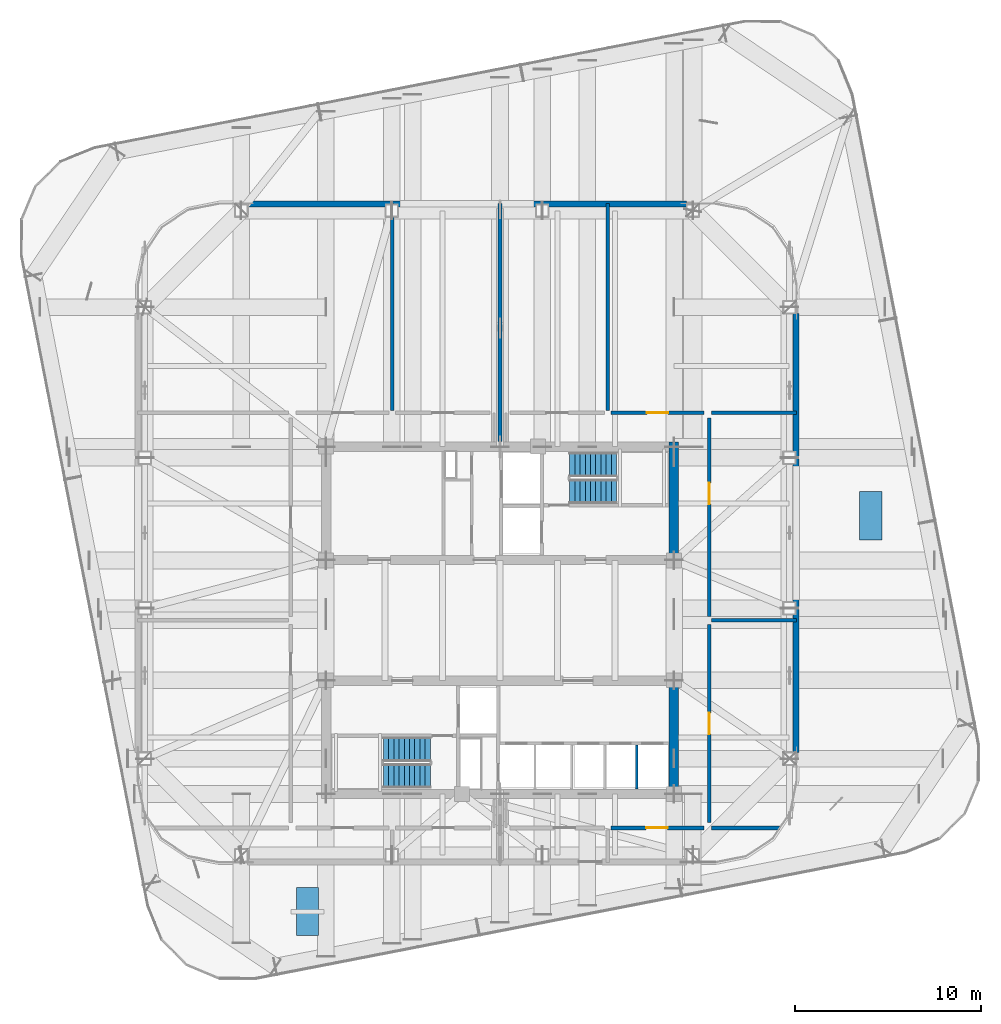
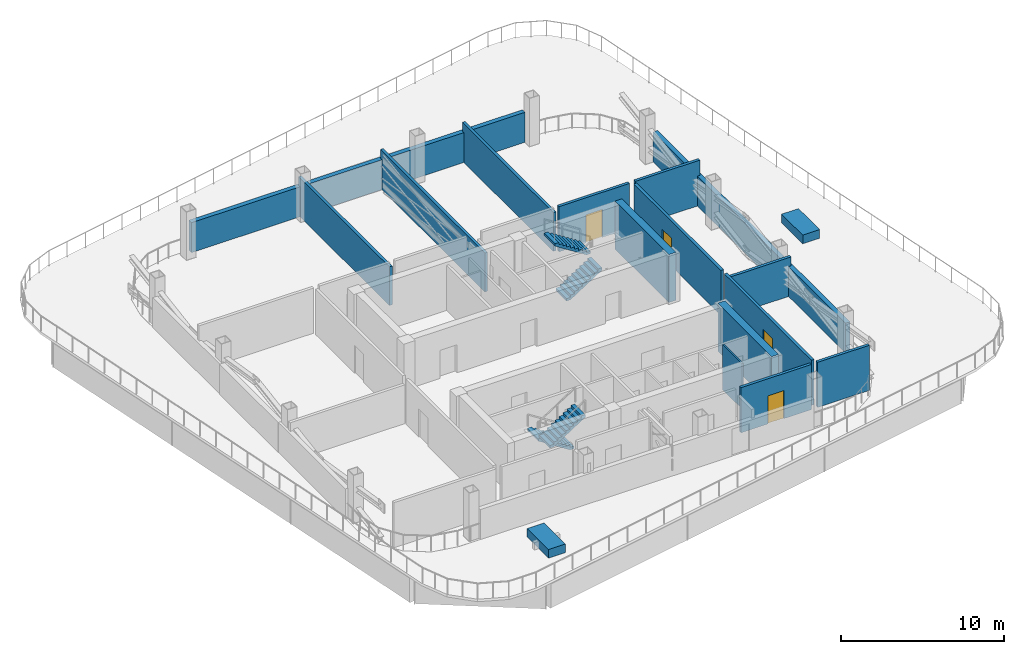
# One storey, part 9 of 14: 15 walls, 4 doors, 4 stair flights, 2 discrete accessories, 4 openings, 2 elements without a shape of their own.
"""IFC4 building model written with IfcOpenShell, lengths in metres."""

from ifc_helpers import new_model, si_unit, direction, frame, frame_2d, origin, origin_2d, place, context, subcontext, project, spatial, polyline, rectangle, outline, extrude, material, layer, layer_set, type_object, element, fill, aggregate, save


model = new_model("IFC4")

# Units and contexts
model_context = context("Model", 3, precision=1e-05, world=origin(), true_north=direction((0.0, 1.0)))
body_context = subcontext(model_context, "Body", "Model", "MODEL_VIEW")
ifc_project = project(units=[si_unit("LENGTHUNIT", "METRE"), si_unit("AREAUNIT", "SQUARE_METRE"), si_unit("VOLUMEUNIT", "CUBIC_METRE"), si_unit("PLANEANGLEUNIT", "RADIAN"), si_unit("MASSUNIT", "GRAM", prefix="KILO")], contexts=[model_context])

# Site, building, storey
site_placement = place(None, origin())
site = spatial("IfcSite", under=ifc_project, at=site_placement, CompositionType="ELEMENT")
building_placement = place(site_placement, origin())
building = spatial("IfcBuilding", under=site, at=building_placement, Name="Qhalaya Broadcast Tower", CompositionType="ELEMENT")
storey_placement = place(building_placement, frame((0.0, 0.0, 144.60009765625)))
storey = spatial("IfcBuildingStorey", under=building, at=storey_placement, Name="L42", CompositionType="ELEMENT", Elevation=144.60009765625)

# Walls
ifc_material_1 = material(Name="Gypsum Acoustic Partition")
ifc_layer_1 = layer(ifc_material_1, 0.199951171875, Name="Gypsum Acoustic Partition")
ifc_layer_set_1 = layer_set([ifc_layer_1], Name="Gypsum Acoustic Partition")
wall_type_1 = type_object("IfcWallType", Name="Firefighting Lobby & Stair Enclosure Wall 200", PredefinedType="PARTITIONING", material=ifc_layer_set_1)
wall_1_placement = place(storey_placement, frame((0.0, 10.239990234375, 0.0), z_axis=(0.0, 0.0, 1.0), x_axis=(0.0, 1.0, 0.0)))
element("IfcWall", 1, at=wall_1_placement, inside=storey, type_object=wall_type_1, Name="L42 Partition Wall W-OBN", PredefinedType="PARTITIONING", context=body_context, shape_type="SweptSolid", body=[
    extrude(rectangle(XDim=12.800048828125, YDim=0.199951171875, at=frame_2d((6.39990234375, 0.0))), origin(), (0.0, 0.0, 1.0), 2.90087890625),
])
for number, where, z_axis, x_axis, name in (
    (2, (-5.800048828125, 11.889892578125, 0.0), (0.0, 0.0, 1.0), (0.0, 1.0, 0.0), "L42 Partition Wall W-PDN1"),
    (3, (5.800048828125, 11.889892578125, 0.0), (0.0, 0.0, 1.0), (0.0, 1.0, 0.0), "L42 Partition Wall W-PDN3"),
):
    element("IfcWall", number, at=place(storey_placement, frame(where, z_axis=z_axis, x_axis=x_axis)), inside=storey, type_object=wall_type_1, Name=name, PredefinedType="PARTITIONING", context=body_context, shape_type="SweptSolid", body=[
        extrude(rectangle(XDim=11.150146484375, YDim=0.199951171875, at=frame_2d((5.5751953125, 0.0))), origin(), (0.0, 0.0, 1.0), 2.90087890625),
    ])

# Wall, opening, door
wall_2_placement = place(storey_placement, frame((10.969970703125, 11.77001953125, 0.0), z_axis=(0.0, 0.0, 1.0), x_axis=(-1.0, 0.0, 0.0)))
wall_2 = element("IfcWall", 4, at=wall_2_placement, inside=storey, type_object=wall_type_1, Name="L42 Partition Wall W-PCN3", PredefinedType="PARTITIONING", context=body_context, shape_type="SweptSolid", body=[
    extrude(rectangle(XDim=4.989990234375, YDim=0.199951171875, at=frame_2d((2.4951171875, 0.0))), origin(), (0.0, 0.0, 1.0), 3.3798828125),
])
opening_1_placement = place(wall_2_placement, frame((1.919921875, 0.0, 0.0)))
opening_1 = element("IfcOpeningElement", 5, at=opening_1_placement, cuts=wall_2, Name="Opening D05", PredefinedType="OPENING", context=body_context, shape_type="SweptSolid", body=[
    extrude(rectangle(XDim=1.14990234375, YDim=2.10009765625, at=frame_2d((0.574951171875, 1.050048828125))), frame((0.0, 0.112060546875, 0.0), z_axis=(0.0, -1.0, 0.0), x_axis=(1.0, 0.0, 0.0)), (0.0, 0.0, 1.0), 0.223876953125),
])
ifc_material_2 = material(Name="Fire-Rated Steel Door", Category="steel")
door_type = type_object("IfcDoorType", Name="Refuge & Plant Room Fire Door D05", OperationType="NOTDEFINED", PredefinedType="DOOR", material=ifc_material_2)
door_1_placement = place(opening_1_placement, origin())
door_1 = element("IfcDoor", 6, at=door_1_placement, inside=storey, type_object=door_type, Name="L42 Door D-PCN3", OperationType="SINGLE_SWING_LEFT", OverallHeight=2.10009765625, OverallWidth=1.14990234375, PredefinedType="DOOR", context=body_context, shape_type="SweptSolid", body=[
    extrude(rectangle(XDim=1.14990234375, YDim=2.10009765625, at=frame_2d((0.574951171875, 1.050048828125))), frame((0.0, 0.02490234375, 0.0), z_axis=(0.0, -1.0, 0.0), x_axis=(1.0, 0.0, 0.0)), (0.0, 0.0, 1.0), 0.050048828125),
])
fill(opening_1, door_1)

wall_3_placement = place(storey_placement, frame((5.97998046875, -10.570068359375, 0.0), z_axis=(0.0, 0.0, 1.0), x_axis=(1.0, 0.0, 0.0)))
wall_3 = element("IfcWall", 7, at=wall_3_placement, inside=storey, type_object=wall_type_1, Name="L42 Partition Wall W-PCS3", PredefinedType="PARTITIONING", context=body_context, shape_type="SweptSolid", body=[
    extrude(rectangle(XDim=4.989990234375, YDim=0.199951171875, at=frame_2d((2.4951171875, 0.0))), origin(), (0.0, 0.0, 1.0), 3.3798828125),
])
opening_2_placement = place(wall_3_placement, frame((1.889892578125, 0.0, 0.0)))
opening_2 = element("IfcOpeningElement", 8, at=opening_2_placement, cuts=wall_3, Name="Opening D05", PredefinedType="OPENING", context=body_context, shape_type="SweptSolid", body=[
    extrude(rectangle(XDim=1.14990234375, YDim=2.10009765625, at=frame_2d((0.574951171875, 1.050048828125))), frame((0.0, 0.112060546875, 0.0), z_axis=(0.0, -1.0, 0.0), x_axis=(1.0, 0.0, 0.0)), (0.0, 0.0, 1.0), 0.223876953125),
])
door_2_placement = place(opening_2_placement, origin())
door_2 = element("IfcDoor", 9, at=door_2_placement, inside=storey, type_object=door_type, Name="L42 Door D-PCS3", OperationType="SINGLE_SWING_RIGHT", OverallHeight=2.10009765625, OverallWidth=1.14990234375, PredefinedType="DOOR", context=body_context, shape_type="SweptSolid", body=[
    extrude(rectangle(XDim=1.14990234375, YDim=2.10009765625, at=frame_2d((0.574951171875, 1.050048828125))), frame((0.0, 0.02490234375, 0.0), z_axis=(0.0, -1.0, 0.0), x_axis=(1.0, 0.0, 0.0)), (0.0, 0.0, 1.0), 0.050048828125),
])
fill(opening_2, door_2)

# Walls
wall_4_placement = place(storey_placement, frame((11.389892578125, 11.77001953125, 0.0), z_axis=(0.0, 0.0, 1.0), x_axis=(1.0, 0.0, 0.0)))
element("IfcWall", 10, at=wall_4_placement, inside=storey, type_object=wall_type_1, Name="L42 Partition Wall W-PBNE", PredefinedType="PARTITIONING", context=body_context, shape_type="SweptSolid", body=[
    extrude(rectangle(XDim=4.570068359375, YDim=0.199951171875, at=frame_2d((2.28515625, 0.0))), origin(), (0.0, 0.0, 1.0), 3.3798828125),
])
wall_5_placement = place(storey_placement, frame((11.389892578125, -10.570068359375, 0.0), z_axis=(0.0, 0.0, 1.0), x_axis=(1.0, 0.0, 0.0)))
element("IfcWall", 11, at=wall_5_placement, inside=storey, type_object=wall_type_1, Name="L42 Partition Wall W-PBSE", PredefinedType="PARTITIONING", context=body_context, shape_type="SweptSolid", body=[
    extrude(rectangle(XDim=3.663330078125, YDim=0.199951171875, at=frame_2d((1.83154296875, 0.0))), origin(), (0.0, 0.0, 1.0), 3.3798828125),
])
wall_6_placement = place(storey_placement, frame((11.389892578125, 0.60009765625, 0.0), z_axis=(0.0, 0.0, 1.0), x_axis=(1.0, 0.0, 0.0)))
element("IfcWall", 12, at=wall_6_placement, inside=storey, type_object=wall_type_1, Name="L42 Partition Wall W-PDE1", PredefinedType="PARTITIONING", context=body_context, shape_type="SweptSolid", body=[
    extrude(rectangle(XDim=4.570068359375, YDim=0.199951171875, at=frame_2d((2.28515625, 0.0))), origin(), (0.0, 0.0, 1.0), 2.90087890625),
])

# Wall, opening, door
wall_7_placement = place(storey_placement, frame((11.27001953125, -10.2900390625, 0.0), z_axis=(0.0, 0.0, 1.0), x_axis=(0.0, 1.0, 0.0)))
wall_7 = element("IfcWall", 13, at=wall_7_placement, inside=storey, type_object=wall_type_1, Name="L42 Partition Wall W-PCE1", PredefinedType="PARTITIONING", context=body_context, shape_type="SweptSolid", body=[
    extrude(rectangle(XDim=10.679931640625, YDim=0.199951171875, at=frame_2d((5.33984375, 0.0))), origin(), (0.0, 0.0, 1.0), 3.3798828125),
])
opening_3_placement = place(wall_7_placement, frame((4.764892578125, 0.0, 0.0)))
opening_3 = element("IfcOpeningElement", 14, at=opening_3_placement, cuts=wall_7, Name="Opening D05", PredefinedType="OPENING", context=body_context, shape_type="SweptSolid", body=[
    extrude(rectangle(XDim=1.14990234375, YDim=2.10009765625, at=frame_2d((0.574951171875, 1.050048828125))), frame((0.0, 0.112060546875, 0.0), z_axis=(0.0, -1.0, 0.0), x_axis=(1.0, 0.0, 0.0)), (0.0, 0.0, 1.0), 0.223876953125),
])
door_3_placement = place(opening_3_placement, origin())
door_3 = element("IfcDoor", 15, at=door_3_placement, inside=storey, type_object=door_type, Name="L42 Door D-PCE1", OperationType="SINGLE_SWING_RIGHT", OverallHeight=2.10009765625, OverallWidth=1.14990234375, PredefinedType="DOOR", context=body_context, shape_type="SweptSolid", body=[
    extrude(rectangle(XDim=1.14990234375, YDim=2.10009765625, at=frame_2d((0.574951171875, 1.050048828125))), frame((0.0, 0.02490234375, 0.0), z_axis=(0.0, -1.0, 0.0), x_axis=(1.0, 0.0, 0.0)), (0.0, 0.0, 1.0), 0.050048828125),
])
fill(opening_3, door_3)

wall_8_placement = place(storey_placement, frame((11.27001953125, 0.81005859375, 0.0), z_axis=(0.0, 0.0, 1.0), x_axis=(0.0, 1.0, 0.0)))
wall_8 = element("IfcWall", 16, at=wall_8_placement, inside=storey, type_object=wall_type_1, Name="L42 Partition Wall W-PCE2", PredefinedType="PARTITIONING", context=body_context, shape_type="SweptSolid", body=[
    extrude(rectangle(XDim=10.679931640625, YDim=0.199951171875, at=frame_2d((5.33984375, 0.0))), origin(), (0.0, 0.0, 1.0), 3.3798828125),
])
opening_4_placement = place(wall_8_placement, frame((6.047119140625, 0.0, 0.0)))
opening_4 = element("IfcOpeningElement", 17, at=opening_4_placement, cuts=wall_8, Name="Opening D05", PredefinedType="OPENING", context=body_context, shape_type="SweptSolid", body=[
    extrude(rectangle(XDim=1.14990234375, YDim=2.10009765625, at=frame_2d((0.574951171875, 1.050048828125))), frame((0.0, 0.112060546875, 0.0), z_axis=(0.0, -1.0, 0.0), x_axis=(1.0, 0.0, 0.0)), (0.0, 0.0, 1.0), 0.223876953125),
])
door_4_placement = place(opening_4_placement, origin())
door_4 = element("IfcDoor", 18, at=door_4_placement, inside=storey, type_object=door_type, Name="L42 Door D-PCE2", OperationType="SINGLE_SWING_LEFT", OverallHeight=2.10009765625, OverallWidth=1.14990234375, PredefinedType="DOOR", context=body_context, shape_type="SweptSolid", body=[
    extrude(rectangle(XDim=1.14990234375, YDim=2.10009765625, at=frame_2d((0.574951171875, 1.050048828125))), frame((0.0, 0.02490234375, 0.0), z_axis=(0.0, -1.0, 0.0), x_axis=(1.0, 0.0, 0.0)), (0.0, 0.0, 1.0), 0.050048828125),
])
fill(opening_4, door_4)

# Walls
ifc_material_3 = material(Name="Concrete C50/60", Category="concrete")
ifc_layer_2 = layer(ifc_material_3, 0.5, Name="Concrete C50/60")
ifc_layer_set_2 = layer_set([ifc_layer_2], Name="Concrete C50/60")
wall_type_2 = type_object("IfcWallType", Name="Mid Split-Core Shear Wall 500", PredefinedType="SHEAR", material=ifc_layer_set_2)
wall_9_placement = place(storey_placement, frame((9.35009765625, 3.60009765625, 0.0), z_axis=(0.0, 0.0, 1.0), x_axis=(0.0, 1.0, 0.0)))
element("IfcWall", 19, at=wall_9_placement, inside=storey, type_object=wall_type_2, Name="L42 Split-Core Shear Wall CW-NE", PredefinedType="SHEAR", context=body_context, shape_type="SweptSolid", body=[
    extrude(rectangle(XDim=6.599853515625, YDim=0.5, at=frame_2d((3.2998046875, 0.0))), origin(), (0.0, 0.0, 1.0), 3.599853515625),
])
wall_10_placement = place(storey_placement, frame((9.35009765625, -9.0, 0.0), z_axis=(0.0, 0.0, 1.0), x_axis=(0.0, 1.0, 0.0)))
element("IfcWall", 20, at=wall_10_placement, inside=storey, type_object=wall_type_2, Name="L42 Split-Core Shear Wall CW-SE", PredefinedType="SHEAR", context=body_context, shape_type="SweptSolid", body=[
    extrude(rectangle(XDim=6.60009765625, YDim=0.5, at=frame_2d((3.300048828125, 0.0))), origin(), (0.0, 0.0, 1.0), 3.599853515625),
])
ifc_layer_3 = layer(ifc_material_1, 0.1201171875, Name="Gypsum Acoustic Partition")
ifc_layer_set_3 = layer_set([ifc_layer_3], Name="Gypsum Acoustic Partition")
wall_type_3 = type_object("IfcWallType", Name="Office, Booth & Sanitary Partition 120", PredefinedType="PARTITIONING", material=ifc_layer_set_3)
wall_11_placement = place(storey_placement, frame((7.360107421875, -8.47998046875, 0.0), z_axis=(0.0, 0.0, 1.0), x_axis=(0.0, 1.0, 0.0)))
element("IfcWall", 21, at=wall_11_placement, inside=storey, type_object=wall_type_3, Name="L42 Partition Wall SCW-HD7", PredefinedType="PARTITIONING", context=body_context, shape_type="SweptSolid", body=[
    extrude(rectangle(XDim=2.3798828125, YDim=0.1201171875, at=frame_2d((1.18994140625, 0.0))), origin(), (0.0, 0.0, 1.0), 3.3798828125),
])
ifc_material_4 = material(Name="Precast Concrete C40/50", Category="concrete")
ifc_layer_4 = layer(ifc_material_4, 0.320068359375, Name="Precast Concrete C40/50")
ifc_layer_set_4 = layer_set([ifc_layer_4], Name="Precast Concrete C40/50")
wall_type_4 = type_object("IfcWallType", Name="Recessed Neck Insulated Exterior Wall 320", PredefinedType="SOLIDWALL", material=ifc_layer_set_4)
for number, where, z_axis, x_axis, name in (
    (22, (15.93994140625, 17.1220703125, 0.0), (0.0, 0.0, 1.0), (0.0, -1.0, 0.0), "L42 Exterior Facade Wall E"),
    (23, (-13.58203125, 23.02001953125, 0.0), (0.0, 0.0, 1.0), (1.0, 0.0, 0.0), "L42 Exterior Facade Wall N"),
):
    element("IfcWall", number, at=place(storey_placement, frame(where, z_axis=z_axis, x_axis=x_axis)), inside=storey, type_object=wall_type_4, Name=name, PredefinedType="SOLIDWALL", context=body_context, shape_type="SweptSolid", body=[
        extrude(rectangle(XDim=23.6240234375, YDim=0.320068359375, at=frame_2d((11.81201171875, 0.0))), origin(), (0.0, 0.0, 1.0), 2.241943359375),
    ])

# Stair, stair flights
ifc_material_5 = material(Name="Concrete C40/50", Category="concrete")
stair_type = type_object("IfcStairType", Name="Protected Dogleg Core Stair 3600", PredefinedType="TWO_STRAIGHT_RUN_STAIR", material=ifc_material_5)
stair_1_placement = place(storey_placement, origin())
stair_1 = element("IfcStair", 24, at=stair_1_placement, inside=storey, type_object=stair_type, Name="L42 North Core Exit Stair ST-1", PredefinedType="TWO_STRAIGHT_RUN_STAIR")
stair_flight_type = type_object("IfcStairFlightType", Name="Precast Concrete Stair Flight 3600", PredefinedType="STRAIGHT", material=ifc_material_4)
stair_flight_1_placement = place(storey_placement, frame((3.75, 7.5400390625, 0.0), z_axis=(0.0, 0.0, 1.0), x_axis=(1.0, 0.0, 0.0)))
stair_flight_1 = element("IfcStairFlight", 25, at=stair_flight_1_placement, type_object=stair_flight_type, Name="ST-1 flight 1", NumberOfRisers=10, NumberOfTreads=9, PredefinedType="STRAIGHT", RiserHeight=0.18, TreadLength=0.28, context=body_context, shape_type="SweptSolid", body=[
    extrude(outline(polyline([(0.0, 0.0), (0.0, 0.179931640625), (0.280029296875, 0.179931640625), (0.280029296875, 0.360107421875), (0.56005859375, 0.360107421875), (0.56005859375, 0.5400390625), (0.840087890625, 0.5400390625), (0.840087890625, 0.719970703125), (1.1201171875, 0.719970703125), (1.1201171875, 0.89990234375), (1.39990234375, 0.89990234375), (1.39990234375, 1.080078125), (1.679931640625, 1.080078125), (1.679931640625, 1.260009765625), (1.9599609375, 1.260009765625), (1.9599609375, 1.43994140625), (2.239990234375, 1.43994140625), (2.239990234375, 1.6201171875), (2.52001953125, 1.6201171875), (2.52001953125, 1.800048828125), (2.52001953125, 1.44189453125), (0.277099609375, 0.0), (0.0, 0.0)])), frame((0.0, 0.66015625, 0.0), z_axis=(0.0, -1.0, 0.0), x_axis=(1.0, 0.0, 0.0)), (0.0, 0.0, 1.0), 1.320068359375),
])
stair_flight_2_placement = place(storey_placement, frame((6.27001953125, 8.97998046875, 1.7998046875), z_axis=(0.0, 0.0, 1.0), x_axis=(-1.0, 0.0, 0.0)))
stair_flight_2 = element("IfcStairFlight", 26, at=stair_flight_2_placement, type_object=stair_flight_type, Name="ST-1 flight 2", NumberOfRisers=10, NumberOfTreads=9, PredefinedType="STRAIGHT", RiserHeight=0.18, TreadLength=0.28, context=body_context, shape_type="SweptSolid", body=[
    extrude(outline(polyline([(0.0, 0.0), (0.0, 0.179931640625), (0.280029296875, 0.179931640625), (0.280029296875, 0.360107421875), (0.56005859375, 0.360107421875), (0.56005859375, 0.5400390625), (0.840087890625, 0.5400390625), (0.840087890625, 0.719970703125), (1.1201171875, 0.719970703125), (1.1201171875, 0.89990234375), (1.39990234375, 0.89990234375), (1.39990234375, 1.080078125), (1.679931640625, 1.080078125), (1.679931640625, 1.260009765625), (1.9599609375, 1.260009765625), (1.9599609375, 1.43994140625), (2.239990234375, 1.43994140625), (2.239990234375, 1.6201171875), (2.52001953125, 1.6201171875), (2.52001953125, 1.800048828125), (2.52001953125, 1.44189453125), (0.277099609375, 0.0), (0.0, 0.0)])), frame((0.0, 0.66015625, 0.0), z_axis=(0.0, -1.0, 0.0), x_axis=(1.0, 0.0, 0.0)), (0.0, 0.0, 1.0), 1.320068359375),
])
aggregate(stair_1, [stair_flight_1, stair_flight_2])

stair_2_placement = place(storey_placement, origin())
stair_2 = element("IfcStair", 27, at=stair_2_placement, inside=storey, type_object=stair_type, Name="L42 South Core Exit Stair ST-2", PredefinedType="TWO_STRAIGHT_RUN_STAIR")
stair_flight_3_placement = place(storey_placement, frame((-3.75, -6.340087890625, 0.0), z_axis=(0.0, 0.0, 1.0), x_axis=(-1.0, 0.0, 0.0)))
stair_flight_3 = element("IfcStairFlight", 28, at=stair_flight_3_placement, type_object=stair_flight_type, Name="ST-2 flight 1", NumberOfRisers=10, NumberOfTreads=9, PredefinedType="STRAIGHT", RiserHeight=0.18, TreadLength=0.28, context=body_context, shape_type="SweptSolid", body=[
    extrude(outline(polyline([(0.0, 0.0), (0.0, 0.179931640625), (0.280029296875, 0.179931640625), (0.280029296875, 0.360107421875), (0.56005859375, 0.360107421875), (0.56005859375, 0.5400390625), (0.840087890625, 0.5400390625), (0.840087890625, 0.719970703125), (1.1201171875, 0.719970703125), (1.1201171875, 0.89990234375), (1.39990234375, 0.89990234375), (1.39990234375, 1.080078125), (1.679931640625, 1.080078125), (1.679931640625, 1.260009765625), (1.9599609375, 1.260009765625), (1.9599609375, 1.43994140625), (2.239990234375, 1.43994140625), (2.239990234375, 1.6201171875), (2.52001953125, 1.6201171875), (2.52001953125, 1.800048828125), (2.52001953125, 1.44189453125), (0.277099609375, 0.0), (0.0, 0.0)])), frame((0.0, 0.66015625, 0.0), z_axis=(0.0, -1.0, 0.0), x_axis=(1.0, 0.0, 0.0)), (0.0, 0.0, 1.0), 1.320068359375),
])
stair_flight_4_placement = place(storey_placement, frame((-6.27001953125, -7.780029296875, 1.7998046875), z_axis=(0.0, 0.0, 1.0), x_axis=(1.0, 0.0, 0.0)))
stair_flight_4 = element("IfcStairFlight", 29, at=stair_flight_4_placement, type_object=stair_flight_type, Name="ST-2 flight 2", NumberOfRisers=10, NumberOfTreads=9, PredefinedType="STRAIGHT", RiserHeight=0.18, TreadLength=0.28, context=body_context, shape_type="SweptSolid", body=[
    extrude(outline(polyline([(0.0, 0.0), (0.0, 0.179931640625), (0.280029296875, 0.179931640625), (0.280029296875, 0.360107421875), (0.56005859375, 0.360107421875), (0.56005859375, 0.5400390625), (0.840087890625, 0.5400390625), (0.840087890625, 0.719970703125), (1.1201171875, 0.719970703125), (1.1201171875, 0.89990234375), (1.39990234375, 0.89990234375), (1.39990234375, 1.080078125), (1.679931640625, 1.080078125), (1.679931640625, 1.260009765625), (1.9599609375, 1.260009765625), (1.9599609375, 1.43994140625), (2.239990234375, 1.43994140625), (2.239990234375, 1.6201171875), (2.52001953125, 1.6201171875), (2.52001953125, 1.800048828125), (2.52001953125, 1.44189453125), (0.277099609375, 0.0), (0.0, 0.0)])), frame((0.0, 0.66015625, 0.0), z_axis=(0.0, -1.0, 0.0), x_axis=(1.0, 0.0, 0.0)), (0.0, 0.0, 1.0), 1.320068359375),
])
aggregate(stair_2, [stair_flight_3, stair_flight_4])

# Discrete accessories
ifc_material_6 = material(Name="Fired Architectural Terracotta", Category="masonry")
discrete_accessory_type = type_object("IfcDiscreteAccessoryType", Name="Terracotta Sky-Garden Planter Box PLN-01", PredefinedType="USERDEFINED", material=ifc_material_6)
for number, where, z_axis, x_axis, name in (
    (30, (-10.3623046875, -15.072998046875, 0.0), (0.0, 0.0, 1.0), (1.0, 0.0, 0.0), "L42 Sky Garden Planter PLN-11"),
    (31, (19.950439453125, 6.2373046875, 0.0), (0.0, 0.0, 1.0), (1.0, 0.0, 0.0), "L42 Sky Garden Planter PLN-12"),
):
    element("IfcDiscreteAccessory", number, at=place(storey_placement, frame(where, z_axis=z_axis, x_axis=x_axis)), inside=storey, type_object=discrete_accessory_type, Name=name, ObjectType="PLANTER", PredefinedType="USERDEFINED", context=body_context, shape_type="SweptSolid", body=[
        extrude(rectangle(XDim=1.199951171875, YDim=2.60009765625, at=origin_2d()), origin(), (0.0, 0.0, 1.0), 0.64990234375),
    ])

save(model, "model.ifc")
